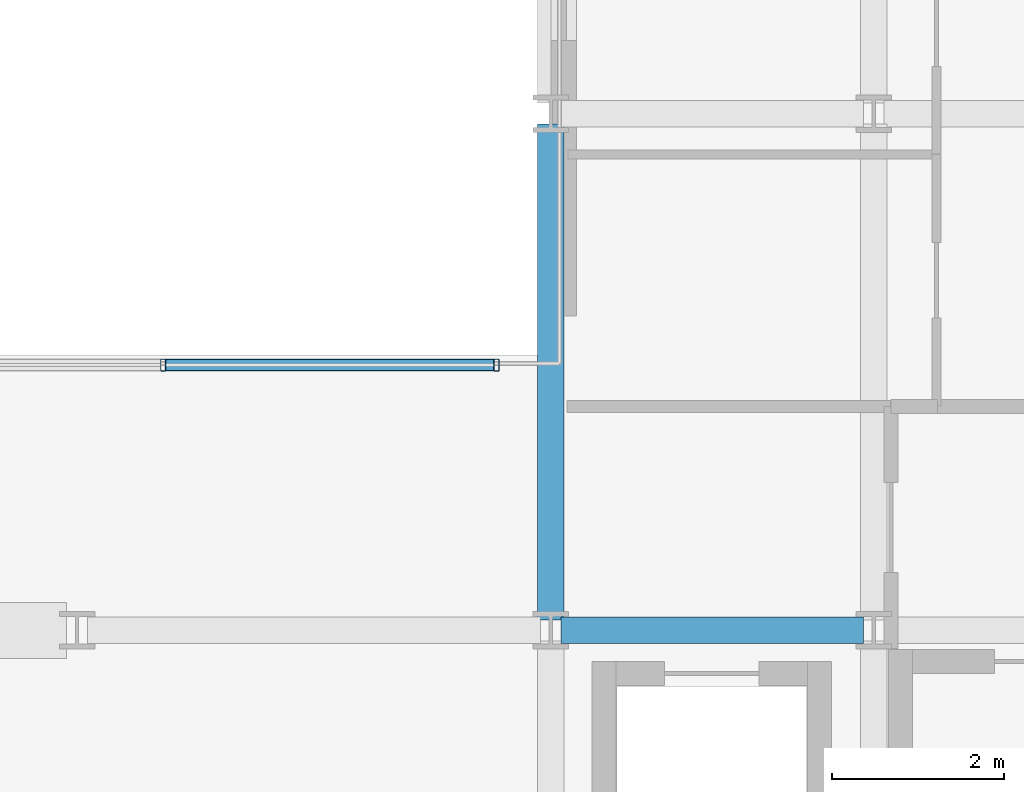
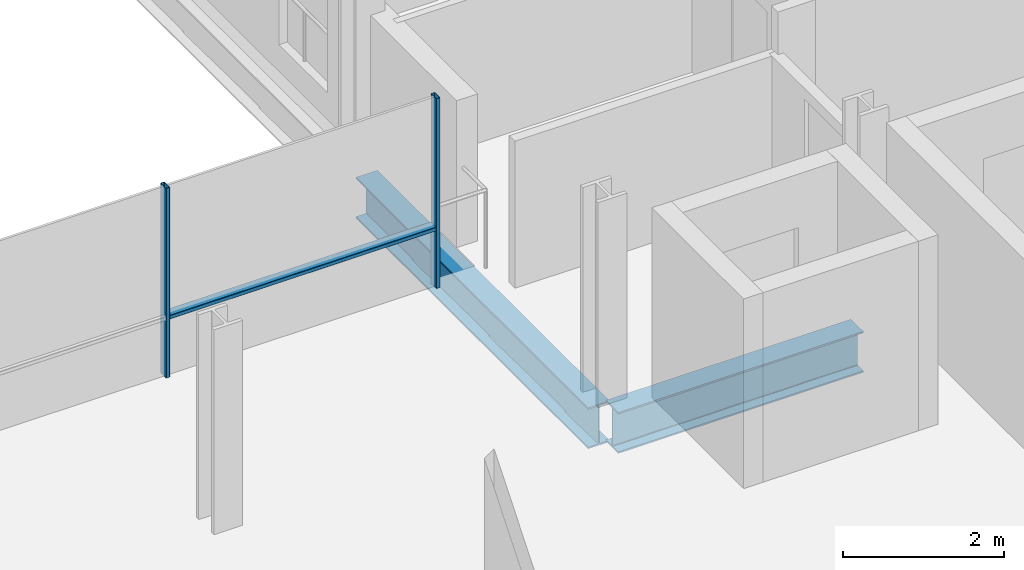
# One storey, part 13 of 38: 3 members, 2 beams, 1 element without a shape of its own.
"""IFC4 building model written with IfcOpenShell, lengths in metres."""

from ifc_helpers import new_model, si_unit, direction, frame, origin, origin_2d, place, context, subcontext, project, spatial, hollow_rectangle, i_section, extrude, material, layer, layer_set, material_profile, profile_set, type_object, element, aggregate, save


model = new_model("IFC4")

# Units and contexts
model_context = context("Model", 3, precision=1e-05, world=origin(), true_north=direction((0.0, 1.0)))
body_context = subcontext(model_context, "Body", "Model", "MODEL_VIEW")
ifc_project = project(units=[si_unit("LENGTHUNIT", "METRE"), si_unit("AREAUNIT", "SQUARE_METRE"), si_unit("VOLUMEUNIT", "CUBIC_METRE"), si_unit("PLANEANGLEUNIT", "RADIAN"), si_unit("MASSUNIT", "GRAM", prefix="KILO")], contexts=[model_context])

# Site, building, storey
site_placement = place(None, origin())
site = spatial("IfcSite", under=ifc_project, at=site_placement, CompositionType="ELEMENT")
building_placement = place(site_placement, origin())
building = spatial("IfcBuilding", under=site, at=building_placement, Name="Brevholm Reach", CompositionType="ELEMENT")
storey_placement = place(building_placement, frame((0.0, 0.0, 71.39990234375)))
storey = spatial("IfcBuildingStorey", under=building, at=storey_placement, Name="L20", CompositionType="ELEMENT", Elevation=71.39990234375)

# Beams
ifc_material_1 = material(Name="Structural Steel S355J2", Category="steel")
ifc_material_profile_1 = material_profile(ifc_material_1, i_section(OverallWidth=0.30712890625, OverallDepth=0.6201171875, WebThickness=0.01416015625, FlangeThickness=0.023681640625, FilletRadius=0.0166015625, at=origin_2d()), Name="UKB 610x305x179")
ifc_profile_set_1 = profile_set([ifc_material_profile_1], Name="Structural Steel S355J2")
beam_type = type_object("IfcBeamType", Name="BM-UKB610H", PredefinedType="USERDEFINED", material=ifc_profile_set_1)
beam_1_placement = place(storey_placement, frame((38.3701171875, 10.0, -0.5400390625), z_axis=(1.0, 0.0, 0.0), x_axis=(0.0, 1.0, 0.0)))
element("IfcBeam", 1, at=beam_1_placement, inside=storey, type_object=beam_type, Name="L20 G-06 Framing Beam", ObjectType="GIRDER", PredefinedType="USERDEFINED", context=body_context, shape_type="SweptSolid", body=[
    extrude(i_section(OverallWidth=0.30712890625, OverallDepth=0.6201171875, WebThickness=0.01416015625, FlangeThickness=0.023681640625, FilletRadius=0.0166015625, at=origin_2d()), origin(), (0.0, 0.0, 1.0), 3.509765625),
])
beam_2_placement = place(storey_placement, frame((38.25, 10.1201171875, -0.5400390625), z_axis=(0.0, 1.0, 0.0), x_axis=(-1.0, 0.0, 0.0)))
element("IfcBeam", 2, at=beam_2_placement, inside=storey, type_object=beam_type, Name="L20 G-06 Framing Beam", ObjectType="GIRDER", PredefinedType="USERDEFINED", context=body_context, shape_type="SweptSolid", body=[
    extrude(i_section(OverallWidth=0.30712890625, OverallDepth=0.6201171875, WebThickness=0.01416015625, FlangeThickness=0.023681640625, FilletRadius=0.0166015625, at=origin_2d()), origin(), (0.0, 0.0, 1.0), 5.759765625),
])

# Curtain wall, members
ifc_material_2 = material(Name="Dark Anodised Aluminium 6063-T6 and Solar-Control Glass", Category="aluminium")
ifc_layer = layer(ifc_material_2, 0.139892578125)
ifc_layer_set = layer_set([ifc_layer], Name="Dark Anodised Aluminium 6063-T6 and Solar-Control Glass")
curtain_wall_type = type_object("IfcCurtainWallType", Name="CW-02", PredefinedType="NOTDEFINED", material=ifc_layer_set)
curtain_wall_placement = place(storey_placement, origin())
curtain_wall = element("IfcCurtainWall", 3, at=curtain_wall_placement, inside=storey, type_object=curtain_wall_type, Name="L20 Curtain Wall CW-02", PredefinedType="NOTDEFINED")
ifc_material_3 = material(Name="Dark Anodised Aluminium 6063-T6", Category="aluminium")
ifc_material_profile_2 = material_profile(ifc_material_3, hollow_rectangle(XDim=0.06005859375, YDim=0.139892578125, WallThickness=0.0048828125, InnerFilletRadius=0.0048828125, OuterFilletRadius=0.010009765625, at=origin_2d()), Name="RHS 140x60x5")
ifc_profile_set_2 = profile_set([ifc_material_profile_2], Name="Dark Anodised Aluminium 6063-T6")
member_type_1 = type_object("IfcMemberType", Name="CWM-140", PredefinedType="MULLION", material=ifc_profile_set_2)
member_1_placement = place(storey_placement, frame((33.75, 13.080078125, 0.0), z_axis=(0.0, 0.0, 1.0), x_axis=(1.0, 0.0, 0.0)))
member_1 = element("IfcMember", 4, at=member_1_placement, type_object=member_type_1, Name="CM-140 Mullion 4", PredefinedType="MULLION", context=body_context, shape_type="SweptSolid", body=[
    extrude(hollow_rectangle(XDim=0.06005859375, YDim=0.139892578125, WallThickness=0.0048828125, InnerFilletRadius=0.0048828125, OuterFilletRadius=0.010009765625, at=origin_2d()), origin(), (0.0, 0.0, 1.0), 2.8701171875),
])
member_2_placement = place(storey_placement, frame((37.6201171875, 13.080078125, 0.0), z_axis=(0.0, 0.0, 1.0), x_axis=(1.0, 0.0, 0.0)))
member_2 = element("IfcMember", 5, at=member_2_placement, type_object=member_type_1, Name="CM-140 Mullion 5", PredefinedType="MULLION", context=body_context, shape_type="SweptSolid", body=[
    extrude(hollow_rectangle(XDim=0.06005859375, YDim=0.139892578125, WallThickness=0.0048828125, InnerFilletRadius=0.0048828125, OuterFilletRadius=0.010009765625, at=origin_2d()), origin(), (0.0, 0.0, 1.0), 2.8701171875),
])
ifc_material_4 = material(Name="Dark Anodised Aluminium 6063-T6", Category="aluminium")
ifc_material_profile_3 = material_profile(ifc_material_4, hollow_rectangle(XDim=0.06005859375, YDim=0.139892578125, WallThickness=0.0048828125, InnerFilletRadius=0.0048828125, OuterFilletRadius=0.010009765625, at=origin_2d()), Name="RHS 140x60x5")
ifc_profile_set_3 = profile_set([ifc_material_profile_3], Name="Dark Anodised Aluminium 6063-T6")
member_type_2 = type_object("IfcMemberType", Name="CWT-140", PredefinedType="NOTDEFINED", material=ifc_profile_set_3)
member_3_placement = place(storey_placement, frame((33.780029296875, 13.080078125, 0.900146484375), z_axis=(1.0, 0.0, 0.0), x_axis=(0.0, 0.0, 1.0)))
member_3 = element("IfcMember", 6, at=member_3_placement, type_object=member_type_2, Name="CT-140 Transom 4.1", ObjectType="TRANSOM", PredefinedType="USERDEFINED", context=body_context, shape_type="SweptSolid", body=[
    extrude(hollow_rectangle(XDim=0.06005859375, YDim=0.139892578125, WallThickness=0.0048828125, InnerFilletRadius=0.0048828125, OuterFilletRadius=0.010009765625, at=origin_2d()), origin(), (0.0, 0.0, 1.0), 3.81005859375),
])
aggregate(curtain_wall, [member_1, member_2, member_3])

save(model, "model.ifc")
